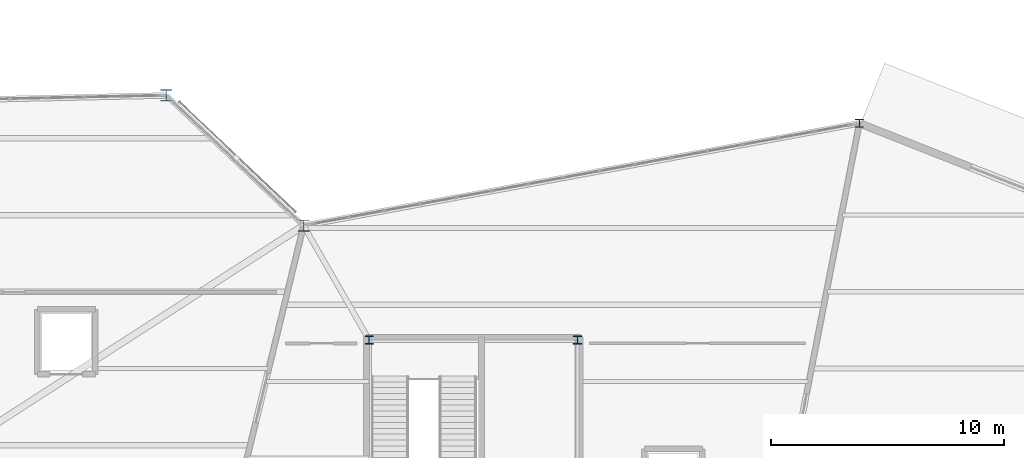
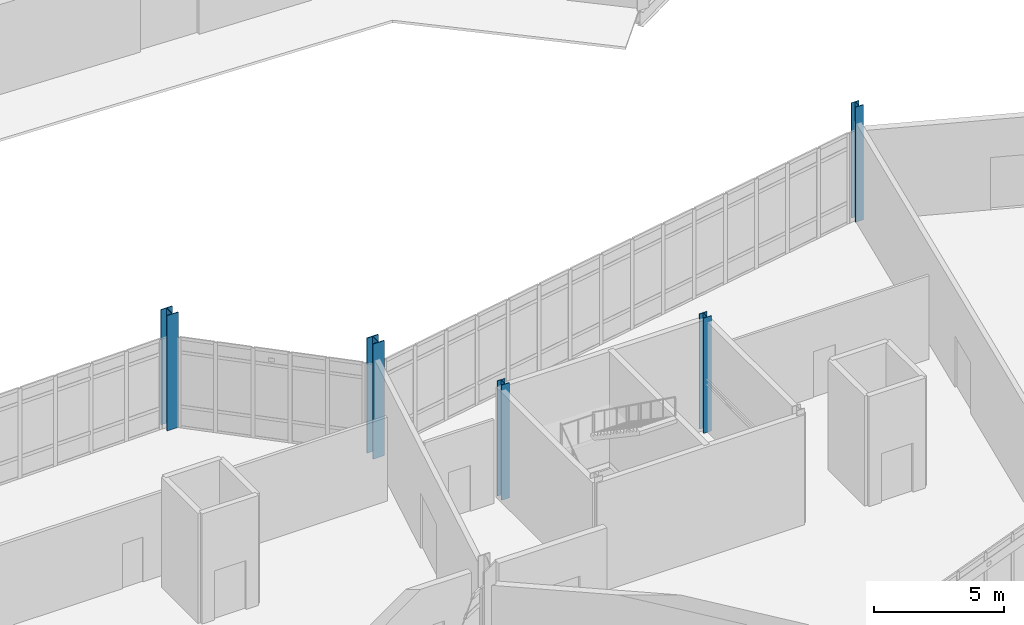
# One storey, part 11 of 113: 5 columns.
"""IFC4 building model written with IfcOpenShell, lengths in metres."""

from ifc_helpers import new_model, si_unit, direction, frame, origin, origin_2d, place, context, subcontext, project, spatial, i_section, extrude, material, material_profile, profile_set, type_object, element, save


model = new_model("IFC4")

# Units and contexts
model_context = context("Model", 3, precision=1e-05, world=origin(), true_north=direction((0.0, 1.0)))
body_context = subcontext(model_context, "Body", "Model", "MODEL_VIEW")
ifc_project = project(units=[si_unit("LENGTHUNIT", "METRE"), si_unit("AREAUNIT", "SQUARE_METRE"), si_unit("VOLUMEUNIT", "CUBIC_METRE"), si_unit("PLANEANGLEUNIT", "RADIAN"), si_unit("MASSUNIT", "GRAM", prefix="KILO")], contexts=[model_context])

# Site, building, storey
site_placement = place(None, origin())
site = spatial("IfcSite", under=ifc_project, at=site_placement, CompositionType="ELEMENT")
building_placement = place(site_placement, origin())
building = spatial("IfcBuilding", under=site, at=building_placement, Name="Tameran Prism Museum", CompositionType="ELEMENT")
storey_placement = place(building_placement, origin())
storey = spatial("IfcBuildingStorey", under=building, at=storey_placement, Name="L00", CompositionType="ELEMENT", Elevation=0.0)

# Columns
ifc_material_1 = material(Name="Steel Grade 350 (350 MPa)", Category="steel")
ifc_material_profile_1 = material_profile(ifc_material_1, i_section(OverallWidth=0.35009765625, OverallDepth=0.35009765625, WebThickness=0.02001953125, FlangeThickness=0.028076171875, at=origin_2d()))
ifc_profile_set_1 = profile_set([ifc_material_profile_1])
column_type_1 = type_object("IfcColumnType", Name="COL-WC350", PredefinedType="COLUMN", material=ifc_profile_set_1)
for number, where, z_axis, x_axis, name in (
    (1, (125.60009765625, 47.39990234375, 0.0), (0.0, 0.0, 1.0), (1.0, 0.0, 0.0), "Column CV-50 L00"),
    (2, (113.47998046875, 38.080078125, 0.0), (0.0, 0.0, 1.0), (1.0, 0.0, 0.0), "Column CC-4-3 L00"),
    (3, (104.52001953125, 38.080078125, 0.0), (0.0, 0.0, 1.0), (1.0, 0.0, 0.0), "Column CC-4-4 L00"),
):
    element("IfcColumn", number, at=place(storey_placement, frame(where, z_axis=z_axis, x_axis=x_axis)), inside=storey, type_object=column_type_1, Name=name, PredefinedType="COLUMN", context=body_context, shape_type="SweptSolid", body=[
        extrude(i_section(OverallWidth=0.35009765625, OverallDepth=0.35009765625, WebThickness=0.02001953125, FlangeThickness=0.028076171875, at=origin_2d()), origin(), (0.0, 0.0, 1.0), 5.39990234375),
    ])
ifc_material_2 = material(Name="Steel Grade 350 (350 MPa)", Category="steel")
ifc_material_profile_2 = material_profile(ifc_material_2, i_section(OverallWidth=0.5, OverallDepth=0.5, WebThickness=0.02197265625, FlangeThickness=0.035888671875, at=origin_2d()))
ifc_profile_set_2 = profile_set([ifc_material_profile_2])
column_type_2 = type_object("IfcColumnType", Name="COL-WC500", PredefinedType="COLUMN", material=ifc_profile_set_2)
for number, where, z_axis, x_axis, name in (
    (4, (95.800048828125, 48.60009765625, 0.0), (0.0, 0.0, 1.0), (1.0, 0.0, 0.0), "Column CV-38 L00"),
    (5, (101.699951171875, 43.0, 0.0), (0.0, 0.0, 1.0), (1.0, 0.0, 0.0), "Column CV-41 L00"),
):
    element("IfcColumn", number, at=place(storey_placement, frame(where, z_axis=z_axis, x_axis=x_axis)), inside=storey, type_object=column_type_2, Name=name, PredefinedType="COLUMN", context=body_context, shape_type="SweptSolid", body=[
        extrude(i_section(OverallWidth=0.5, OverallDepth=0.5, WebThickness=0.02197265625, FlangeThickness=0.035888671875, at=origin_2d()), origin(), (0.0, 0.0, 1.0), 5.39990234375),
    ])

save(model, "model.ifc")
